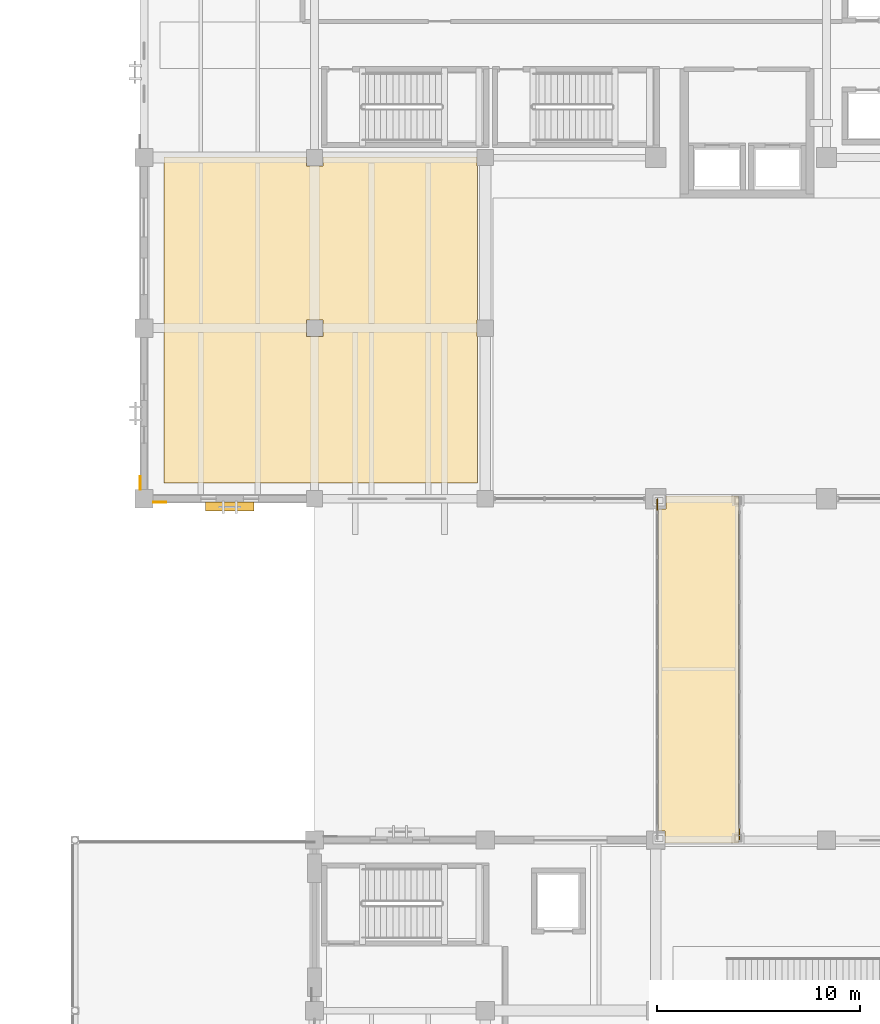
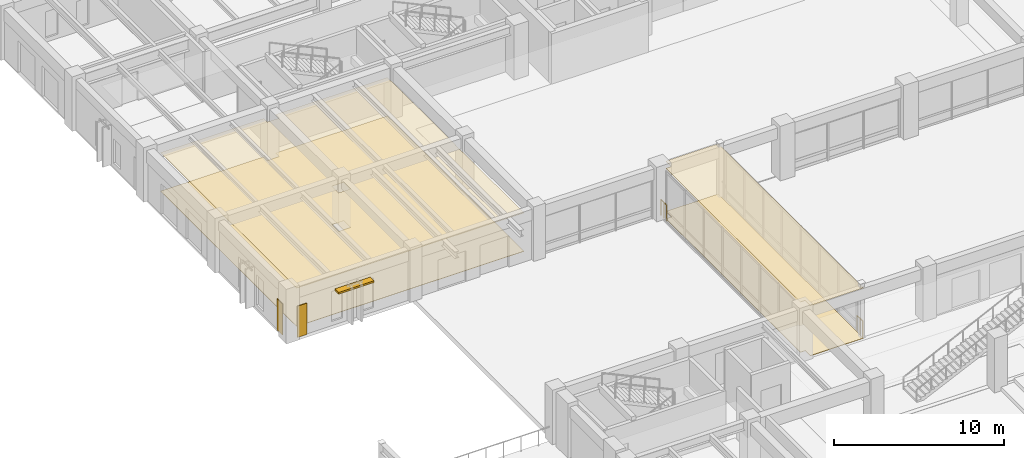
# One storey, part 114 of 135: 6 coverings, 2 railings, 1 shading device.
"""IFC4 building model written with IfcOpenShell, lengths in metres."""

import ifcopenshell
import ifcopenshell.guid

model = None  # the IFC model being written
_history = None  # IfcOwnerHistory: only IFC2X3 demands one
_inside = {}  # id of a spatial element -> (the spatial element, [elements in it])
_under = {}  # id of a project, library or spatial element -> (it, [spatial elements below it])
_declared = {}  # id of a project -> (the project, [libraries it declares])
_typed = {}  # id of a type object -> (the type object, [elements of that type])
_made_of = {}  # id of a material, layer set ... -> (it, [elements and type objects made of it])


def new_model(schema):
    """Start an empty IFC model of exactly this schema.

    Asked for "IFC4X3", IfcOpenShell would pick the latest addendum, in which some entities
    have other attributes; the version numbers below select the first issue.
    IFC2X3 requires an IfcOwnerHistory on every rooted entity: one is made here for all.
    """
    global model, _history
    if schema == "IFC4X3":
        model = ifcopenshell.file(schema_version=(4, 3, 0, 0))
    else:
        model = ifcopenshell.file(schema=schema)
    _inside.clear()
    _under.clear()
    _declared.clear()
    _typed.clear()
    _made_of.clear()
    _history = None
    if model.schema == "IFC2X3":
        org = make("IfcOrganization", Name="unknown")
        user = make(
            "IfcPersonAndOrganization",
            ThePerson=make("IfcPerson", FamilyName="unknown"),
            TheOrganization=org,
        )
        app = make(
            "IfcApplication",
            ApplicationDeveloper=org,
            Version="unknown",
            ApplicationFullName="unknown",
            ApplicationIdentifier="unknown",
        )
        _history = make(
            "IfcOwnerHistory",
            OwningUser=user,
            OwningApplication=app,
            ChangeAction="ADDED",
            CreationDate=0,
        )
    return model


def make(cls, **values):
    """One entity of the class cls with the attributes given. An attribute that is None is left unset."""
    return model.create_entity(
        cls, **{name: value for name, value in values.items() if value is not None}
    )


def rooted(cls, **values):
    """An entity with a GlobalId (a new one), such as an element, a storey or a relation."""
    return make(cls, GlobalId=ifcopenshell.guid.new(), OwnerHistory=_history, **values)


def si_unit(unit_type, name, prefix=None):
    """IfcSIUnit, for example si_unit("LENGTHUNIT", "METRE", prefix="MILLI")."""
    return make("IfcSIUnit", UnitType=unit_type, Prefix=prefix, Name=name)


def assignment(units):
    """IfcUnitAssignment: the units of a project."""
    return None if units is None else make("IfcUnitAssignment", Units=units)


def point(xyz):
    """IfcCartesianPoint."""
    return None if xyz is None else make("IfcCartesianPoint", Coordinates=xyz)


def direction(xyz):
    """IfcDirection."""
    return None if xyz is None else make("IfcDirection", DirectionRatios=xyz)


def frame(location, z_axis=None, x_axis=None):
    """IfcAxis2Placement3D, a coordinate frame: its origin and axes. An axis left out is left unset."""
    return make(
        "IfcAxis2Placement3D",
        Location=point(location),
        Axis=direction(z_axis),
        RefDirection=direction(x_axis),
    )


def frame_2d(location, x_axis=None):
    """IfcAxis2Placement2D, a coordinate frame in the plane: its origin and x axis."""
    return make(
        "IfcAxis2Placement2D", Location=point(location), RefDirection=direction(x_axis)
    )


def origin():
    """The frame at (0, 0, 0) with its axes left unset."""
    return frame((0.0, 0.0, 0.0))


def origin_2d():
    """The frame at (0, 0) in the plane with its x axis left unset."""
    return frame_2d((0.0, 0.0))


def place(relative_to, where):
    """IfcLocalPlacement: puts the frame where relative to a parent placement (None: the world)."""
    return make(
        "IfcLocalPlacement", PlacementRelTo=relative_to, RelativePlacement=where
    )


def context(
    kind, dimensions, precision=None, world=None, true_north=None, identifier=None
):
    """IfcGeometricRepresentationContext, for example the 3D "Model" context."""
    return make(
        "IfcGeometricRepresentationContext",
        ContextIdentifier=identifier,
        ContextType=kind,
        CoordinateSpaceDimension=dimensions,
        Precision=precision,
        WorldCoordinateSystem=world,
        TrueNorth=true_north,
    )


def subcontext(parent, identifier, kind, view, scale=None):
    """IfcGeometricRepresentationSubContext, for example "Body" below "Model"."""
    return make(
        "IfcGeometricRepresentationSubContext",
        ContextIdentifier=identifier,
        ContextType=kind,
        ParentContext=parent,
        TargetScale=scale,
        TargetView=view,
    )


def project(units=None, contexts=None):
    """IfcProject with its units and contexts."""
    return rooted(
        "IfcProject",
        Name="project",
        RepresentationContexts=contexts,
        UnitsInContext=assignment(units),
    )


def spatial(cls, under=None, at=None, **own):
    """A site, building, storey or space (cls), placed at a placement, below another one or the project."""
    s = rooted(cls, ObjectPlacement=at, **own)
    if under is not None:
        _under.setdefault(under.id(), (under, []))[1].append(s)
    return s


def polyline(points):
    """IfcPolyline through the points."""
    return make("IfcPolyline", Points=[point(p) for p in points])


def profile(cls, at=None, kind="AREA", **sizes):
    """A parametric profile (cls). Its sizes go by their IFC names, for example OverallWidth=200.0."""
    return make(cls, ProfileType=kind, Position=at, **sizes)


def rectangle(**sizes):
    """IfcRectangleProfileDef."""
    return profile("IfcRectangleProfileDef", **sizes)


def circle(**sizes):
    """IfcCircleProfileDef."""
    return profile("IfcCircleProfileDef", **sizes)


def outline(outer, holes=None, kind="AREA"):
    """IfcArbitraryClosedProfileDef: a profile drawn as a closed curve; with holes, ...WithVoids."""
    if holes is None:
        return make("IfcArbitraryClosedProfileDef", ProfileType=kind, OuterCurve=outer)
    return make(
        "IfcArbitraryProfileDefWithVoids",
        ProfileType=kind,
        OuterCurve=outer,
        InnerCurves=holes,
    )


def extrude(swept, where, along, depth):
    """IfcExtrudedAreaSolid: the profile swept, set in the frame where, extruded along a direction by depth."""
    return make(
        "IfcExtrudedAreaSolid",
        SweptArea=swept,
        Position=where,
        ExtrudedDirection=direction(along),
        Depth=depth,
    )


def shape(context_of_items, identifier, shape_type, items):
    """IfcShapeRepresentation: the items that make up one representation, for example the "Body"."""
    return make(
        "IfcShapeRepresentation",
        ContextOfItems=context_of_items,
        RepresentationIdentifier=identifier,
        RepresentationType=shape_type,
        Items=items,
    )


def material(Name=None, Category=None):
    """IfcMaterial."""
    return make("IfcMaterial", Name=Name, Category=Category)


def layer(
    of_material, thickness, ventilated=None, Name=None, Category=None, Priority=None
):
    """IfcMaterialLayer: one layer of a wall or slab, of a material (None: an air gap)."""
    return make(
        "IfcMaterialLayer",
        Material=of_material,
        LayerThickness=thickness,
        IsVentilated=ventilated,
        Name=Name,
        Category=Category,
        Priority=Priority,
    )


def layer_set(layers, Name=None):
    """IfcMaterialLayerSet."""
    return make("IfcMaterialLayerSet", MaterialLayers=layers, LayerSetName=Name)


def made_of(thing, what):
    """Note that an element or type object is made of a material, layer set ...; save() writes the relation."""
    if what is not None:
        _made_of.setdefault(what.id(), (what, []))[1].append(thing)
    return thing


def type_object(cls, material=None, **own):
    """A type object (cls), such as IfcWallType, which elements share."""
    return made_of(rooted(cls, **own), material)


def element(
    cls,
    number,
    at=None,
    inside=None,
    cuts=None,
    type_object=None,
    material=None,
    context=None,
    identifier="Body",
    shape_type=None,
    held_by="IfcProductDefinitionShape",
    body=None,
    shapes=None,
    **own,
):
    """One element of the class cls, such as IfcWall. Its Tag is "e" and its number.

    at: its placement. inside: the storey or other place that contains it. cuts: it is an
    opening in that element (IfcRelVoidsElement). A single representation is given by context,
    identifier, shape_type and body (its items); several are given by shapes. held_by: the class
    of the entity that holds the representations. save() writes the other relations.
    """
    e = rooted(cls, Tag="e%d" % number, ObjectPlacement=at, **own)
    if body is not None:
        shapes = [shape(context, identifier, shape_type, body)]
    if shapes is not None:
        e.Representation = make(held_by, Representations=shapes)
    if inside is not None:
        _inside.setdefault(inside.id(), (inside, []))[1].append(e)
    if cuts is not None:
        rooted(
            "IfcRelVoidsElement", RelatingBuildingElement=cuts, RelatedOpeningElement=e
        )
    if type_object is not None:
        _typed.setdefault(type_object.id(), (type_object, []))[1].append(e)
    return made_of(e, material)


def aggregate(whole, parts):
    """IfcRelAggregates: a whole, such as a stair, and the parts it consists of."""
    return rooted("IfcRelAggregates", RelatingObject=whole, RelatedObjects=parts)


def save(model, path):
    """Write the relations noted so far, then the file.

    IfcRelAggregates (storeys below a building ...), IfcRelContainedInSpatialStructure (elements
    in a storey), IfcRelDefinesByType, IfcRelAssociatesMaterial and IfcRelDeclares: one each for
    every whole, place, type object, material and project.
    """
    for whole, parts in _under.values():
        aggregate(whole, parts)
    for where, things in _inside.values():
        rooted(
            "IfcRelContainedInSpatialStructure",
            RelatedElements=things,
            RelatingStructure=where,
        )
    for kind, things in _typed.values():
        rooted("IfcRelDefinesByType", RelatedObjects=things, RelatingType=kind)
    for what, things in _made_of.values():
        rooted("IfcRelAssociatesMaterial", RelatedObjects=things, RelatingMaterial=what)
    for by, libraries in _declared.values():
        rooted("IfcRelDeclares", RelatingContext=by, RelatedDefinitions=libraries)
    model.write(path)


model = new_model("IFC4")

# Units and contexts
model_context = context("Model", 3, precision=1e-05, world=origin(), true_north=direction((0.0, 1.0)))
body_context = subcontext(model_context, "Body", "Model", "MODEL_VIEW")
ifc_project = project(units=[si_unit("LENGTHUNIT", "METRE"), si_unit("AREAUNIT", "SQUARE_METRE"), si_unit("VOLUMEUNIT", "CUBIC_METRE"), si_unit("PLANEANGLEUNIT", "RADIAN"), si_unit("MASSUNIT", "GRAM", prefix="KILO")], contexts=[model_context])

# Site, building, storey
site_placement = place(None, origin())
site = spatial("IfcSite", under=ifc_project, at=site_placement, CompositionType="ELEMENT")
building_placement = place(site_placement, origin())
building = spatial("IfcBuilding", under=site, at=building_placement, Name="Cumbredor Promenade Congress Hotel", CompositionType="ELEMENT")
storey_placement = place(building_placement, origin())
storey = spatial("IfcBuildingStorey", under=building, at=storey_placement, Name="L00", CompositionType="ELEMENT", Elevation=0.0)

# Coverings
ifc_material_1 = material(Name="Acoustic mineral-fiber and gypsum ceiling")
ifc_layer_1 = layer(ifc_material_1, 0.028076171875, Name="Acoustic mineral-fiber and gypsum ceiling")
ifc_layer_set_1 = layer_set([ifc_layer_1], Name="Acoustic mineral-fiber and gypsum ceiling")
covering_type_1 = type_object("IfcCoveringType", Name="Acoustic Perforated Gypsum Ceiling CLG-03 28mm", PredefinedType="CEILING", material=ifc_layer_set_1)
covering_1_placement = place(storey_placement, frame((0.0, 0.0, 3.612060546875)))
element("IfcCovering", 1, at=covering_1_placement, inside=storey, type_object=covering_type_1, Name="L00 West Congress-to-Hotel Glazed Bridge Concourse Acoustic Ceiling", PredefinedType="CEILING", context=body_context, shape_type="SweptSolid", body=[
    extrude(outline(polyline([(29.27001953125, 84.139892578125), (29.27001953125, 67.06005859375), (25.655029296875, 67.06005859375), (25.655029296875, 67.655029296875), (25.330078125, 67.655029296875), (25.330078125, 83.4951171875), (25.705078125, 83.4951171875), (25.705078125, 84.139892578125), (29.27001953125, 84.139892578125)])), origin(), (0.0, 0.0, 1.0), 0.02783203125),
])
ifc_layer_2 = layer(ifc_material_1, 0.031982421875, Name="Acoustic mineral-fiber and gypsum ceiling")
ifc_layer_set_2 = layer_set([ifc_layer_2], Name="Acoustic mineral-fiber and gypsum ceiling")
covering_type_2 = type_object("IfcCoveringType", Name="Acoustic Perforated Gypsum Ceiling CLG-04 32mm", PredefinedType="CEILING", material=ifc_layer_set_2)
covering_2_placement = place(storey_placement, frame((0.0, 0.0, 2.759033203125)))
element("IfcCovering", 2, at=covering_2_placement, inside=storey, type_object=covering_type_2, Name="West Arrival Lounge and Bell Desk Acoustic Ceiling", PredefinedType="CEILING", context=body_context, shape_type="SweptSolid", body=[
    extrude(outline(polyline([(8.804931640625, 100.39501953125), (8.804931640625, 100.820068359375), (16.39501953125, 100.820068359375), (16.39501953125, 100.39501953125), (16.419921875, 100.39501953125), (16.419921875, 92.804931640625), (16.39501953125, 92.804931640625), (16.39501953125, 91.9951171875), (16.419921875, 91.9951171875), (16.419921875, 84.780029296875), (0.97998046875, 84.780029296875), (0.97998046875, 100.820068359375), (7.9951171875, 100.820068359375), (7.9951171875, 100.39501953125), (8.804931640625, 100.39501953125)]), holes=[polyline([(8.804931640625, 91.9951171875), (8.804931640625, 92.804931640625), (7.9951171875, 92.804931640625), (7.9951171875, 91.9951171875), (8.804931640625, 91.9951171875)])]), origin(), (0.0, 0.0, 1.0), 0.031982421875),
])
ifc_material_2 = material(Name="Precast concrete C40/50", Category="concrete")
ifc_layer_3 = layer(ifc_material_2, 0.044921875, Name="Precast concrete C40/50", Category="concrete")
ifc_layer_set_3 = layer_set([ifc_layer_3], Name="Precast concrete C40/50")
covering_type_3 = type_object("IfcCoveringType", Name="Board-Formed Architectural Cladding Panel 45mm", PredefinedType="CLADDING", material=ifc_layer_set_3)
covering_3_placement = place(storey_placement, origin())
element("IfcCovering", 3, at=covering_3_placement, inside=storey, type_object=covering_type_3, Name="L00 Facade Stone Cladding Pier 034", PredefinedType="CLADDING", context=body_context, shape_type="SweptSolid", body=[
    extrude(outline(polyline([(0.450927734375, 83.85009765625), (1.10107421875, 83.85009765625), (1.10107421875, 83.804931640625), (0.450927734375, 83.804931640625), (0.450927734375, 83.85009765625)])), origin(), (0.0, 0.0, 1.0), 2.25),
])
covering_4_placement = place(storey_placement, origin())
element("IfcCovering", 4, at=covering_4_placement, inside=storey, type_object=covering_type_3, Name="L00 Facade Stone Cladding Pier 042", PredefinedType="CLADDING", context=body_context, shape_type="SweptSolid", body=[
    extrude(outline(polyline([(-0.14990234375, 84.450927734375), (-0.14990234375, 85.10107421875), (-0.195068359375, 85.10107421875), (-0.195068359375, 84.450927734375), (-0.14990234375, 84.450927734375)])), origin(), (0.0, 0.0, 1.0), 2.25),
])

# Shading device
ifc_material_3 = material(Name="Thermally broken anodized aluminium", Category="aluminium")
shading_device_type = type_object("IfcShadingDeviceType", Name="Horizontal Bronze Jalousie Louvre JAL-01", PredefinedType="JALOUSIE", material=ifc_material_3)
shading_device_placement = place(storey_placement, frame((4.22509765625, 83.625, 2.4599609375), z_axis=(0.0, 0.0, 1.0), x_axis=(1.0, 0.0, 0.0)))
element("IfcShadingDevice", 5, at=shading_device_placement, inside=storey, type_object=shading_device_type, Name="L00 Horizontal Bronze Jalousie 022", PredefinedType="JALOUSIE", context=body_context, shape_type="SweptSolid", body=[
    extrude(rectangle(XDim=2.39990234375, YDim=0.449951171875, at=origin_2d()), origin(), (0.0, 0.0, 1.0), 0.1201171875),
])

# Coverings
ifc_material_4 = material(Name="Porcelain stoneware tile", Category="masonry")
ifc_layer_4 = layer(ifc_material_4, 0.02490234375, Name="Porcelain stoneware tile", Category="masonry")
ifc_layer_set_4 = layer_set([ifc_layer_4], Name="Porcelain stoneware tile")
covering_type_4 = type_object("IfcCoveringType", Name="Porcelain Stoneware Flooring FLR-02 25mm", PredefinedType="FLOORING", material=ifc_layer_set_4)
covering_5_placement = place(storey_placement, origin())
element("IfcCovering", 6, at=covering_5_placement, inside=storey, type_object=covering_type_4, Name="West Arrival Lounge and Bell Desk Porcelain Flooring", PredefinedType="FLOORING", context=body_context, shape_type="SweptSolid", body=[
    extrude(outline(polyline([(8.804931640625, 100.39501953125), (8.804931640625, 100.820068359375), (16.39501953125, 100.820068359375), (16.39501953125, 100.39501953125), (16.419921875, 100.39501953125), (16.419921875, 92.804931640625), (16.39501953125, 92.804931640625), (16.39501953125, 91.9951171875), (16.419921875, 91.9951171875), (16.419921875, 84.780029296875), (0.97998046875, 84.780029296875), (0.97998046875, 100.820068359375), (7.9951171875, 100.820068359375), (7.9951171875, 100.39501953125), (8.804931640625, 100.39501953125)]), holes=[polyline([(8.804931640625, 91.9951171875), (8.804931640625, 92.804931640625), (7.9951171875, 92.804931640625), (7.9951171875, 91.9951171875), (8.804931640625, 91.9951171875)])]), origin(), (0.0, 0.0, 1.0), 0.02490234375),
])
ifc_layer_5 = layer(ifc_material_4, 0.030029296875, Name="Porcelain stoneware tile", Category="masonry")
ifc_layer_set_5 = layer_set([ifc_layer_5], Name="Porcelain stoneware tile")
covering_type_5 = type_object("IfcCoveringType", Name="Porcelain Stoneware Flooring FLR-03 30mm", PredefinedType="FLOORING", material=ifc_layer_set_5)
covering_6_placement = place(storey_placement, origin())
element("IfcCovering", 7, at=covering_6_placement, inside=storey, type_object=covering_type_5, Name="L00 West Congress-to-Hotel Glazed Bridge Concourse Porcelain Flooring", PredefinedType="FLOORING", context=body_context, shape_type="SweptSolid", body=[
    extrude(outline(polyline([(29.27001953125, 84.139892578125), (29.27001953125, 67.06005859375), (25.655029296875, 67.06005859375), (25.655029296875, 67.655029296875), (25.330078125, 67.655029296875), (25.330078125, 83.4951171875), (25.705078125, 83.4951171875), (25.705078125, 84.139892578125), (29.27001953125, 84.139892578125)])), origin(), (0.0, 0.0, 1.0), 0.030029296875),
])

# Railings
ifc_material_5 = material(Name="Brushed stainless steel", Category="steel")
railing_type = type_object("IfcRailingType", Name="Sky Garden Glass-and-Steel Balustrade BAL-1150", PredefinedType="BALUSTRADE", material=ifc_material_5)
for number, where, name in (
    (8, (29.320068359375, 67.22998046875, 0.0), "L00 West Congress-to-Hotel Glazed Bridge End Guardrail SE"),
    (9, (25.280029296875, 83.300048828125, 0.0), "L00 West Congress-to-Hotel Glazed Bridge End Guardrail NW"),
):
    element("IfcRailing", number, at=place(storey_placement, frame(where)), inside=storey, type_object=railing_type, Name=name, PredefinedType="BALUSTRADE", context=body_context, shape_type="SweptSolid", body=[
        extrude(circle(Radius=0.02392578125, at=origin_2d()), frame((0.0, 0.0, 1.1259765625), z_axis=(0.0, 1.0, 0.0), x_axis=(-1.0, 0.0, 0.0)), (0.0, 0.0, 1.0), 0.669921875),
        extrude(circle(Radius=0.02099609375, at=origin_2d()), origin(), (0.0, 0.0, 1.0), 1.101806640625),
        extrude(circle(Radius=0.02099609375, at=origin_2d()), frame((0.0, 0.3349609375, 0.0)), (0.0, 0.0, 1.0), 1.101806640625),
        extrude(circle(Radius=0.02099609375, at=origin_2d()), frame((0.0, 0.669921875, 0.0)), (0.0, 0.0, 1.0), 1.101806640625),
    ])

save(model, "model.ifc")
